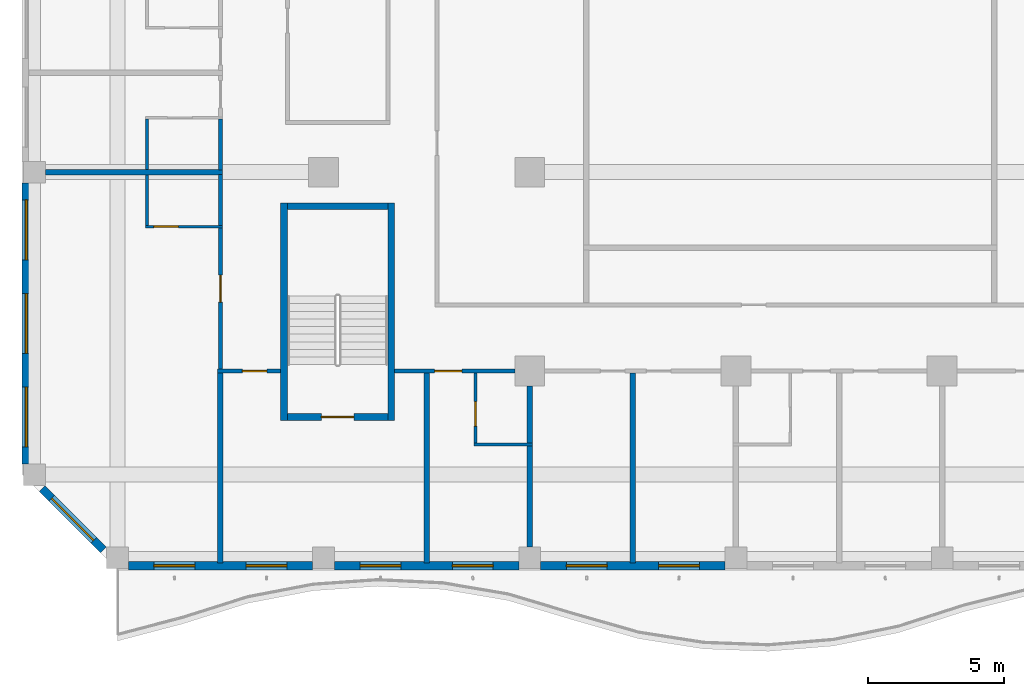
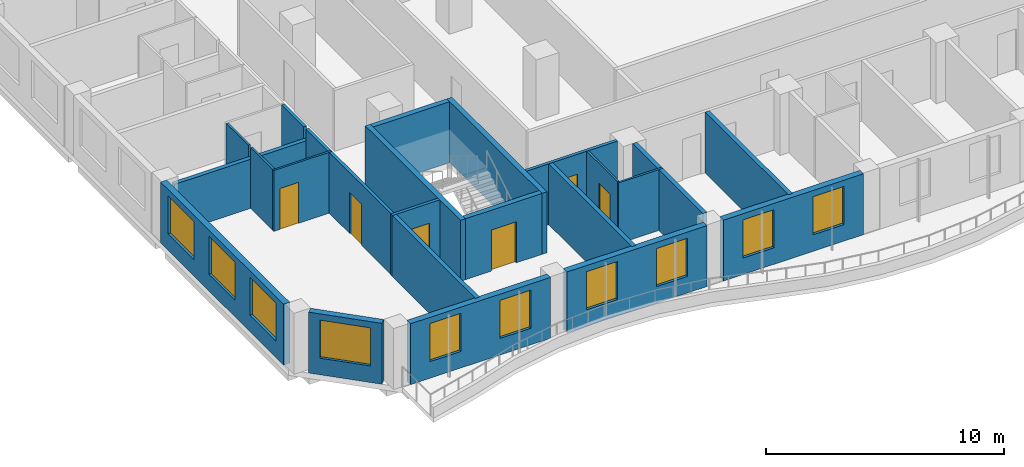
# One storey, part 2 of 23: 25 walls, 10 windows, 6 doors, 16 openings.
"""IFC4 building model written with IfcOpenShell, lengths in metres."""

from ifc_helpers import new_model, si_unit, direction, frame, frame_2d, origin, place, context, subcontext, project, spatial, rectangle, extrude, source, transform, mapped, material, layer, layer_set, type_object, element, fill, save


model = new_model("IFC4")

# Units and contexts
model_context = context("Model", 3, precision=1e-05, world=origin(), true_north=direction((0.0, 1.0)))
body_context = subcontext(model_context, "Body", "Model", "MODEL_VIEW")
ifc_project = project(units=[si_unit("LENGTHUNIT", "METRE"), si_unit("AREAUNIT", "SQUARE_METRE"), si_unit("VOLUMEUNIT", "CUBIC_METRE"), si_unit("PLANEANGLEUNIT", "RADIAN"), si_unit("MASSUNIT", "GRAM", prefix="KILO")], contexts=[model_context])

# Site, building, storey
site_placement = place(None, origin())
site = spatial("IfcSite", under=ifc_project, at=site_placement, CompositionType="ELEMENT")
building_placement = place(site_placement, origin())
building = spatial("IfcBuilding", under=site, at=building_placement, Name="Kilnfold Tower and Market Hall", CompositionType="ELEMENT")
storey_placement = place(building_placement, frame((0.0, 0.0, 150.699951171875)))
storey = spatial("IfcBuildingStorey", under=building, at=storey_placement, Name="L34", CompositionType="ELEMENT", Elevation=150.699951171875)

# Wall, opening, door
ifc_material_1 = material(Name="Gypsum board on steel studs", Category="steel")
ifc_layer_1 = layer(ifc_material_1, 0.14990234375)
ifc_layer_set_1 = layer_set([ifc_layer_1], Name="Gypsum board on steel studs")
wall_type_1 = type_object("IfcWallType", Name="WALL CORRIDOR 150", PredefinedType="PARTITIONING", material=ifc_layer_set_1)
wall_1_placement = place(storey_placement, frame((-13.550048828125, -13.93798828125, 0.0), z_axis=(0.0, 0.0, 1.0), x_axis=(1.0, 0.0, 0.0)))
wall_1 = element("IfcWall", 1, at=wall_1_placement, inside=storey, type_object=wall_type_1, Name="Partition LY22.1", PredefinedType="PARTITIONING", context=body_context, shape_type="SweptSolid", body=[
    extrude(rectangle(XDim=4.4169921875, YDim=0.14990234375, at=frame_2d((2.20849609375, 0.0))), origin(), (0.0, 0.0, 1.0), 3.1201171875),
])
opening_1_placement = place(wall_1_placement, frame((1.468017578125, 0.0, 0.0)))
opening_1 = element("IfcOpeningElement", 2, at=opening_1_placement, cuts=wall_1, Name="Opening D1", PredefinedType="OPENING", context=body_context, shape_type="SweptSolid", body=[
    extrude(rectangle(XDim=1.0, YDim=2.10009765625, at=frame_2d((0.5, 1.050048828125))), frame((0.0, 0.0849609375, 0.0), z_axis=(0.0, -1.0, 0.0), x_axis=(1.0, 0.0, 0.0)), (0.0, 0.0, 1.0), 0.169921875),
])
ifc_material_2 = material(Name="Timber veneer door leaf in steel frame", Category="steel")
door_type_1 = type_object("IfcDoorType", Name="DOOR ENTRY 1000 X2100", OperationType="NOTDEFINED", PredefinedType="DOOR", material=ifc_material_2)
door_1_placement = place(opening_1_placement, origin())
door_1 = element("IfcDoor", 3, at=door_1_placement, inside=storey, type_object=door_type_1, Name="Door D1", OperationType="SINGLE_SWING_RIGHT", OverallHeight=2.10009765625, OverallWidth=1.0, PredefinedType="DOOR", context=body_context, shape_type="SweptSolid", body=[
    extrude(rectangle(XDim=1.0, YDim=2.10009765625, at=frame_2d((0.5, 1.050048828125))), frame((0.0, 0.02490234375, 0.0), z_axis=(0.0, -1.0, 0.0), x_axis=(1.0, 0.0, 0.0)), (0.0, 0.0, 1.0), 0.050048828125),
])
fill(opening_1, door_1)

wall_2_placement = place(storey_placement, frame((-20.05908203125, -13.93798828125, 0.0), z_axis=(0.0, 0.0, 1.0), x_axis=(1.0, 0.0, 0.0)))
wall_2 = element("IfcWall", 4, at=wall_2_placement, inside=storey, type_object=wall_type_1, Name="Partition LY22.2", PredefinedType="PARTITIONING", context=body_context, shape_type="SweptSolid", body=[
    extrude(rectangle(XDim=2.30908203125, YDim=0.14990234375, at=frame_2d((1.154541015625, 0.0))), origin(), (0.0, 0.0, 1.0), 3.1201171875),
])
opening_2_placement = place(wall_2_placement, frame((0.906005859375, 0.0, 0.0)))
opening_2 = element("IfcOpeningElement", 5, at=opening_2_placement, cuts=wall_2, Name="Opening D2", PredefinedType="OPENING", context=body_context, shape_type="SweptSolid", body=[
    extrude(rectangle(XDim=0.89990234375, YDim=2.10009765625, at=frame_2d((0.449951171875, 1.050048828125))), frame((0.0, 0.0849609375, 0.0), z_axis=(0.0, -1.0, 0.0), x_axis=(1.0, 0.0, 0.0)), (0.0, 0.0, 1.0), 0.169921875),
])
ifc_material_3 = material(Name="Timber veneer door leaf in steel frame", Category="steel")
door_type_2 = type_object("IfcDoorType", Name="DOOR ROOM 900 X2100", OperationType="NOTDEFINED", PredefinedType="DOOR", material=ifc_material_3)
door_2_placement = place(opening_2_placement, origin())
door_2 = element("IfcDoor", 6, at=door_2_placement, inside=storey, type_object=door_type_2, Name="Door D2", OperationType="SINGLE_SWING_RIGHT", OverallHeight=2.10009765625, OverallWidth=0.89990234375, PredefinedType="DOOR", context=body_context, shape_type="SweptSolid", body=[
    extrude(rectangle(XDim=0.89990234375, YDim=2.10009765625, at=frame_2d((0.449951171875, 1.050048828125))), frame((0.0, 0.02490234375, 0.0), z_axis=(0.0, -1.0, 0.0), x_axis=(1.0, 0.0, 0.0)), (0.0, 0.0, 1.0), 0.050048828125),
])
fill(opening_2, door_2)

wall_3_placement = place(storey_placement, frame((-19.958984375, -13.863037109375, 0.0), z_axis=(0.0, 0.0, 1.0), x_axis=(0.0, 1.0, 0.0)))
wall_3 = element("IfcWall", 7, at=wall_3_placement, inside=storey, type_object=wall_type_1, Name="Partition LY22.10", PredefinedType="PARTITIONING", context=body_context, shape_type="SweptSolid", body=[
    extrude(rectangle(XDim=5.197998046875, YDim=0.14990234375, at=frame_2d((2.59912109375, 0.0))), origin(), (0.0, 0.0, 1.0), 3.1201171875),
])
opening_3_placement = place(wall_3_placement, frame((2.4580078125, 0.0, 0.0)))
opening_3 = element("IfcOpeningElement", 8, at=opening_3_placement, cuts=wall_3, Name="Opening D1", PredefinedType="OPENING", context=body_context, shape_type="SweptSolid", body=[
    extrude(rectangle(XDim=1.0, YDim=2.10009765625, at=frame_2d((0.5, 1.050048828125))), frame((0.0, 0.0849609375, 0.0), z_axis=(0.0, -1.0, 0.0), x_axis=(1.0, 0.0, 0.0)), (0.0, 0.0, 1.0), 0.169921875),
])
door_3_placement = place(opening_3_placement, origin())
door_3 = element("IfcDoor", 9, at=door_3_placement, inside=storey, type_object=door_type_1, Name="Door D1", OperationType="SINGLE_SWING_RIGHT", OverallHeight=2.10009765625, OverallWidth=1.0, PredefinedType="DOOR", context=body_context, shape_type="SweptSolid", body=[
    extrude(rectangle(XDim=1.0, YDim=2.10009765625, at=frame_2d((0.5, 1.050048828125))), frame((0.0, 0.02490234375, 0.0), z_axis=(0.0, -1.0, 0.0), x_axis=(1.0, 0.0, 0.0)), (0.0, 0.0, 1.0), 0.050048828125),
])
fill(opening_3, door_3)

# Walls
for number, where, z_axis, x_axis, name in (
    (10, (-19.958984375, -8.5849609375, 0.0), (0.0, 0.0, 1.0), (0.0, 1.0, 0.0), "Partition LY22.11"),
    (11, (-19.958984375, -6.534912109375, 0.0), (0.0, 0.0, 1.0), (0.0, 1.0, 0.0), "Partition LY22.13"),
):
    element("IfcWall", number, at=place(storey_placement, frame(where, z_axis=z_axis, x_axis=x_axis)), inside=storey, type_object=wall_type_1, Name=name, PredefinedType="PARTITIONING", context=body_context, shape_type="SweptSolid", body=[
        extrude(rectangle(XDim=1.869873046875, YDim=0.14990234375, at=frame_2d((0.93505859375, 0.0))), origin(), (0.0, 0.0, 1.0), 3.1201171875),
    ])

# Wall, opening, door
ifc_material_4 = material(Name="Gypsum board on steel studs", Category="steel")
ifc_layer_2 = layer(ifc_material_4, 0.10009765625)
ifc_layer_set_2 = layer_set([ifc_layer_2], Name="Gypsum board on steel studs")
wall_type_2 = type_object("IfcWallType", Name="WALL PARTITION 100", PredefinedType="PARTITIONING", material=ifc_layer_set_2)
wall_4_placement = place(storey_placement, frame((-10.5830078125, -16.590087890625, 0.0), z_axis=(0.0, 0.0, 1.0), x_axis=(0.0, 1.0, 0.0)))
wall_4 = element("IfcWall", 12, at=wall_4_placement, inside=storey, type_object=wall_type_2, Name="Partition LY22.50", PredefinedType="PARTITIONING", context=body_context, shape_type="SweptSolid", body=[
    extrude(rectangle(XDim=2.5751953125, YDim=0.10009765625, at=frame_2d((1.28759765625, 0.0))), origin(), (0.0, 0.0, 1.0), 3.1201171875),
])
opening_4_placement = place(wall_4_placement, frame((0.625, 0.0, 0.0)))
opening_4 = element("IfcOpeningElement", 13, at=opening_4_placement, cuts=wall_4, Name="Opening D3", PredefinedType="OPENING", context=body_context, shape_type="SweptSolid", body=[
    extrude(rectangle(XDim=0.89990234375, YDim=2.10009765625, at=frame_2d((0.449951171875, 1.050048828125))), frame((0.0, 0.06005859375, 0.0), z_axis=(0.0, -1.0, 0.0), x_axis=(1.0, 0.0, 0.0)), (0.0, 0.0, 1.0), 0.1201171875),
])
ifc_material_5 = material(Name="Timber veneer door leaf in steel frame", Category="steel")
door_type_3 = type_object("IfcDoorType", Name="DOOR WC 900 X2100", OperationType="NOTDEFINED", PredefinedType="DOOR", material=ifc_material_5)
door_4_placement = place(opening_4_placement, origin())
door_4 = element("IfcDoor", 14, at=door_4_placement, inside=storey, type_object=door_type_3, Name="Door D3", OperationType="SINGLE_SWING_LEFT", OverallHeight=2.10009765625, OverallWidth=0.89990234375, PredefinedType="DOOR", context=body_context, shape_type="SweptSolid", body=[
    extrude(rectangle(XDim=0.89990234375, YDim=2.10009765625, at=frame_2d((0.449951171875, 1.050048828125))), frame((0.0, 0.02490234375, 0.0), z_axis=(0.0, -1.0, 0.0), x_axis=(1.0, 0.0, 0.0)), (0.0, 0.0, 1.0), 0.050048828125),
])
fill(opening_4, door_4)

# Walls
wall_5_placement = place(storey_placement, frame((-10.633056640625, -16.639892578125, 0.0), z_axis=(0.0, 0.0, 1.0), x_axis=(1.0, 0.0, 0.0)))
element("IfcWall", 15, at=wall_5_placement, inside=storey, type_object=wall_type_2, Name="Partition LY22.51", PredefinedType="PARTITIONING", context=body_context, shape_type="SweptSolid", body=[
    extrude(rectangle(XDim=2.150146484375, YDim=0.10009765625, at=frame_2d((1.0751953125, 0.0))), origin(), (0.0, 0.0, 1.0), 3.1201171875),
])
wall_6_placement = place(storey_placement, frame((-22.658935546875, -8.574951171875, 0.0), z_axis=(0.0, 0.0, 1.0), x_axis=(0.0, 1.0, 0.0)))
element("IfcWall", 16, at=wall_6_placement, inside=storey, type_object=wall_type_2, Name="Partition LY22.68", PredefinedType="PARTITIONING", context=body_context, shape_type="SweptSolid", body=[
    extrude(rectangle(XDim=1.849853515625, YDim=0.10009765625, at=frame_2d((0.9248046875, 0.0))), origin(), (0.0, 0.0, 1.0), 3.1201171875),
])

# Wall, opening, door
wall_7_placement = place(storey_placement, frame((-19.885986328125, -8.625, 0.0), z_axis=(0.0, 0.0, 1.0), x_axis=(-1.0, 0.0, 0.0)))
wall_7 = element("IfcWall", 17, at=wall_7_placement, inside=storey, type_object=wall_type_2, Name="Partition LY22.69", PredefinedType="PARTITIONING", context=body_context, shape_type="SweptSolid", body=[
    extrude(rectangle(XDim=2.822998046875, YDim=0.10009765625, at=frame_2d((1.41162109375, 0.0))), origin(), (0.0, 0.0, 1.0), 3.1201171875),
])
opening_5_placement = place(wall_7_placement, frame((1.62109375, 0.0, 0.0)))
opening_5 = element("IfcOpeningElement", 18, at=opening_5_placement, cuts=wall_7, Name="Opening D3", PredefinedType="OPENING", context=body_context, shape_type="SweptSolid", body=[
    extrude(rectangle(XDim=0.89990234375, YDim=2.10009765625, at=frame_2d((0.449951171875, 1.050048828125))), frame((0.0, 0.06005859375, 0.0), z_axis=(0.0, -1.0, 0.0), x_axis=(1.0, 0.0, 0.0)), (0.0, 0.0, 1.0), 0.1201171875),
])
door_5_placement = place(opening_5_placement, origin())
door_5 = element("IfcDoor", 19, at=door_5_placement, inside=storey, type_object=door_type_3, Name="Door D3", OperationType="SINGLE_SWING_LEFT", OverallHeight=2.10009765625, OverallWidth=0.89990234375, PredefinedType="DOOR", context=body_context, shape_type="SweptSolid", body=[
    extrude(rectangle(XDim=0.89990234375, YDim=2.10009765625, at=frame_2d((0.449951171875, 1.050048828125))), frame((0.0, 0.02490234375, 0.0), z_axis=(0.0, -1.0, 0.0), x_axis=(1.0, 0.0, 0.0)), (0.0, 0.0, 1.0), 0.050048828125),
])
fill(opening_5, door_5)

# Walls
wall_8_placement = place(storey_placement, frame((-22.660888671875, -6.52490234375, 0.0), z_axis=(0.0, 0.0, 1.0), x_axis=(0.0, 1.0, 0.0)))
element("IfcWall", 20, at=wall_8_placement, inside=storey, type_object=wall_type_2, Name="Partition LY22.72", PredefinedType="PARTITIONING", context=body_context, shape_type="SweptSolid", body=[
    extrude(rectangle(XDim=1.849853515625, YDim=0.10009765625, at=frame_2d((0.9248046875, 0.0))), origin(), (0.0, 0.0, 1.0), 3.1201171875),
])
ifc_material_6 = material(Name="Gypsum board on steel studs", Category="steel")
ifc_layer_3 = layer(ifc_material_6, 0.199951171875)
ifc_layer_set_3 = layer_set([ifc_layer_3], Name="Gypsum board on steel studs")
wall_type_3 = type_object("IfcWallType", Name="WALL PARTY 200", PredefinedType="PARTITIONING", material=ifc_layer_set_3)
for number, where, z_axis, x_axis, name in (
    (21, (-12.375, -21.0, 0.0), (0.0, 0.0, 1.0), (0.0, 1.0, 0.0), "Partition LY22.48"),
    (22, (-19.958984375, -21.0, 0.0), (0.0, 0.0, 1.0), (0.0, 1.0, 0.0), "Partition LY22.49"),
):
    element("IfcWall", number, at=place(storey_placement, frame(where, z_axis=z_axis, x_axis=x_axis)), inside=storey, type_object=wall_type_3, Name=name, PredefinedType="PARTITIONING", context=body_context, shape_type="SweptSolid", body=[
        extrude(rectangle(XDim=6.985107421875, YDim=0.199951171875, at=frame_2d((3.49267578125, 0.0))), origin(), (0.0, 0.0, 1.0), 3.1201171875),
    ])
wall_9_placement = place(storey_placement, frame((-8.5830078125, -20.39990234375, 0.0), z_axis=(0.0, 0.0, 1.0), x_axis=(0.0, 1.0, 0.0)))
element("IfcWall", 23, at=wall_9_placement, inside=storey, type_object=wall_type_3, Name="Partition LY22.52", PredefinedType="PARTITIONING", context=body_context, shape_type="SweptSolid", body=[
    extrude(rectangle(XDim=3.7099609375, YDim=0.199951171875, at=frame_2d((1.85498046875, 0.0))), origin(), (0.0, 0.0, 1.0), 3.1201171875),
])
wall_10_placement = place(storey_placement, frame((-8.5830078125, -16.590087890625, 0.0), z_axis=(0.0, 0.0, 1.0), x_axis=(0.0, 1.0, 0.0)))
element("IfcWall", 24, at=wall_10_placement, inside=storey, type_object=wall_type_3, Name="Partition LY22.53", PredefinedType="PARTITIONING", context=body_context, shape_type="SweptSolid", body=[
    extrude(rectangle(XDim=2.10205078125, YDim=0.199951171875, at=frame_2d((1.051025390625, 0.0))), origin(), (0.0, 0.0, 1.0), 3.1201171875),
])
wall_11_placement = place(storey_placement, frame((-4.7919921875, -21.0, 0.0), z_axis=(0.0, 0.0, 1.0), x_axis=(0.0, 1.0, 0.0)))
element("IfcWall", 25, at=wall_11_placement, inside=storey, type_object=wall_type_3, Name="Partition LY22.54", PredefinedType="PARTITIONING", context=body_context, shape_type="SweptSolid", body=[
    extrude(rectangle(XDim=6.985107421875, YDim=0.199951171875, at=frame_2d((3.49267578125, 0.0))), origin(), (0.0, 0.0, 1.0), 3.1201171875),
])
wall_12_placement = place(storey_placement, frame((-26.39990234375, -6.625, 0.0), z_axis=(0.0, 0.0, 1.0), x_axis=(1.0, 0.0, 0.0)))
element("IfcWall", 26, at=wall_12_placement, inside=storey, type_object=wall_type_3, Name="Partition LY22.70", PredefinedType="PARTITIONING", context=body_context, shape_type="SweptSolid", body=[
    extrude(rectangle(XDim=6.513916015625, YDim=0.199951171875, at=frame_2d((3.2568359375, 0.0))), origin(), (0.0, 0.0, 1.0), 2.52001953125),
])

# Wall, opening, door
ifc_material_7 = material(Name="Concrete C70", Category="concrete")
ifc_layer_4 = layer(ifc_material_7, 0.25)
ifc_layer_set_4 = layer_set([ifc_layer_4], Name="Concrete C70")
wall_type_4 = type_object("IfcWallType", Name="CORE WALL 250 C70", PredefinedType="SHEAR", material=ifc_layer_set_4)
shared_shape_1 = source(origin(), body_context, "Body", "SweptSolid", [
    extrude(rectangle(XDim=3.699951171875, YDim=0.25, at=frame_2d((1.85009765625, 0.0))), origin(), (0.0, 0.0, 1.0), 3.1201171875),
])
wall_13_placement = place(storey_placement, frame((-17.5, -15.625, 0.0), z_axis=(0.0, 0.0, 1.0), x_axis=(1.0, 0.0, 0.0)))
wall_13 = element("IfcWall", 27, at=wall_13_placement, inside=storey, type_object=wall_type_4, Name="Stair enclosure ST3", PredefinedType="SHEAR", context=body_context, shape_type="MappedRepresentation", body=[
    mapped(shared_shape_1, transform((0.0, 0.0, 0.0))),
])
opening_6_placement = place(wall_13_placement, frame((1.25, 0.0, 0.0)))
opening_6 = element("IfcOpeningElement", 28, at=opening_6_placement, cuts=wall_13, Name="Opening SD1", PredefinedType="OPENING", context=body_context, shape_type="SweptSolid", body=[
    extrude(rectangle(XDim=1.199951171875, YDim=2.10009765625, at=frame_2d((0.60009765625, 1.050048828125))), frame((0.0, 0.135009765625, 0.0), z_axis=(0.0, -1.0, 0.0), x_axis=(1.0, 0.0, 0.0)), (0.0, 0.0, 1.0), 0.27001953125),
])
ifc_material_8 = material(Name="Steel door set with fire-resisting leaf", Category="steel")
door_type_4 = type_object("IfcDoorType", Name="STAIR FLOOR DOOR 1200X2100", OperationType="NOTDEFINED", PredefinedType="DOOR", material=ifc_material_8)
door_6_placement = place(opening_6_placement, origin())
door_6 = element("IfcDoor", 29, at=door_6_placement, inside=storey, type_object=door_type_4, Name="Exit stair ST3 door", OperationType="DOUBLE_DOOR_SINGLE_SWING", OverallHeight=2.10009765625, OverallWidth=1.199951171875, PredefinedType="DOOR", context=body_context, shape_type="SweptSolid", body=[
    extrude(rectangle(XDim=1.199951171875, YDim=2.10009765625, at=frame_2d((0.60009765625, 1.050048828125))), frame((0.0, 0.02490234375, 0.0), z_axis=(0.0, -1.0, 0.0), x_axis=(1.0, 0.0, 0.0)), (0.0, 0.0, 1.0), 0.050048828125),
])
fill(opening_6, door_6)

# Walls
wall_14_placement = place(storey_placement, frame((-17.5, -7.875, 0.0), z_axis=(0.0, 0.0, 1.0), x_axis=(1.0, 0.0, 0.0)))
element("IfcWall", 30, at=wall_14_placement, inside=storey, type_object=wall_type_4, Name="Stair enclosure ST3", PredefinedType="SHEAR", context=body_context, shape_type="MappedRepresentation", body=[
    mapped(shared_shape_1, transform((0.0, 0.0, 0.0))),
])
shared_shape_2 = source(origin(), body_context, "Body", "SweptSolid", [
    extrude(rectangle(XDim=8.0, YDim=0.25, at=frame_2d((4.0, 0.0))), origin(), (0.0, 0.0, 1.0), 3.1201171875),
])
for number, where, z_axis, x_axis, name in (
    (31, (-17.625, -15.75, 0.0), (0.0, 0.0, 1.0), (0.0, 1.0, 0.0), "Stair enclosure ST3"),
    (32, (-13.675048828125, -15.75, 0.0), (0.0, 0.0, 1.0), (0.0, 1.0, 0.0), "Stair enclosure ST3"),
):
    element("IfcWall", number, at=place(storey_placement, frame(where, z_axis=z_axis, x_axis=x_axis)), inside=storey, type_object=wall_type_4, Name=name, PredefinedType="SHEAR", context=body_context, shape_type="MappedRepresentation", body=[
        mapped(shared_shape_2, transform((0.0, 0.0, 0.0))),
    ])

# Wall, openings, windows
ifc_material_9 = material(Name="Precast concrete C50/60", Category="concrete")
ifc_layer_5 = layer(ifc_material_9, 0.300048828125)
ifc_layer_set_5 = layer_set([ifc_layer_5], Name="Precast concrete C50/60")
wall_type_5 = type_object("IfcWallType", Name="PRECAST WALL 300", PredefinedType="SOLIDWALL", material=ifc_layer_set_5)
shared_shape_3 = source(origin(), body_context, "Body", "SweptSolid", [
    extrude(rectangle(XDim=6.783447265625, YDim=0.300048828125, at=frame_2d((3.3916015625, 0.0))), origin(), (0.0, 0.0, 1.0), 3.1201171875),
])
wall_15_placement = place(storey_placement, frame((-23.35009765625, -21.10009765625, 0.0), z_axis=(0.0, 0.0, 1.0), x_axis=(1.0, 0.0, 0.0)))
wall_15 = element("IfcWall", 33, at=wall_15_placement, inside=storey, type_object=wall_type_5, Name="External wall L34 S", PredefinedType="SOLIDWALL", context=body_context, shape_type="MappedRepresentation", body=[
    mapped(shared_shape_3, transform((0.0, 0.0, 0.0))),
])
opening_7_placement = place(wall_15_placement, frame((0.94580078125, 0.0, 0.85009765625)))
opening_7 = element("IfcOpeningElement", 34, at=opening_7_placement, cuts=wall_15, Name="Opening W4", PredefinedType="OPENING", context=body_context, shape_type="SweptSolid", body=[
    extrude(rectangle(XDim=1.5, YDim=1.949951171875, at=frame_2d((0.75, 0.97509765625))), frame((0.0, 0.16015625, 0.0), z_axis=(0.0, -1.0, 0.0), x_axis=(1.0, 0.0, 0.0)), (0.0, 0.0, 1.0), 0.320068359375),
])
opening_8_placement = place(wall_15_placement, frame((4.33740234375, 0.0, 0.85009765625)))
opening_8 = element("IfcOpeningElement", 35, at=opening_8_placement, cuts=wall_15, Name="Opening W4", PredefinedType="OPENING", context=body_context, shape_type="SweptSolid", body=[
    extrude(rectangle(XDim=1.5, YDim=1.949951171875, at=frame_2d((0.75, 0.97509765625))), frame((0.0, 0.16015625, 0.0), z_axis=(0.0, -1.0, 0.0), x_axis=(1.0, 0.0, 0.0)), (0.0, 0.0, 1.0), 0.320068359375),
])
ifc_material_10 = material(Name="Aluminium frame and double glazing", Category="aluminium")
window_type_1 = type_object("IfcWindowType", Name="WINDOW W4 1500X1950", PartitioningType="SINGLE_PANEL", PredefinedType="WINDOW", material=ifc_material_10)
window_1_placement = place(opening_7_placement, origin())
window_1 = element("IfcWindow", 36, at=window_1_placement, inside=storey, type_object=window_type_1, Name="Window W4 L34 S-1", OverallHeight=1.949951171875, OverallWidth=1.5, PartitioningType="SINGLE_PANEL", PredefinedType="WINDOW", context=body_context, shape_type="SweptSolid", body=[
    extrude(rectangle(XDim=1.5, YDim=1.949951171875, at=frame_2d((0.75, 0.97509765625))), frame((0.0, 0.030029296875, 0.0), z_axis=(0.0, -1.0, 0.0), x_axis=(1.0, 0.0, 0.0)), (0.0, 0.0, 1.0), 0.06005859375),
])
fill(opening_7, window_1)
window_2_placement = place(opening_8_placement, origin())
window_2 = element("IfcWindow", 37, at=window_2_placement, inside=storey, type_object=window_type_1, Name="Window W4 L34 S-2", OverallHeight=1.949951171875, OverallWidth=1.5, PartitioningType="SINGLE_PANEL", PredefinedType="WINDOW", context=body_context, shape_type="SweptSolid", body=[
    extrude(rectangle(XDim=1.5, YDim=1.949951171875, at=frame_2d((0.75, 0.97509765625))), frame((0.0, 0.030029296875, 0.0), z_axis=(0.0, -1.0, 0.0), x_axis=(1.0, 0.0, 0.0)), (0.0, 0.0, 1.0), 0.06005859375),
])
fill(opening_8, window_2)

wall_16_placement = place(storey_placement, frame((-8.183349609375, -21.10009765625, 0.0), z_axis=(0.0, 0.0, 1.0), x_axis=(1.0, 0.0, 0.0)))
wall_16 = element("IfcWall", 38, at=wall_16_placement, inside=storey, type_object=wall_type_5, Name="External wall L34 S", PredefinedType="SOLIDWALL", context=body_context, shape_type="MappedRepresentation", body=[
    mapped(shared_shape_3, transform((0.0, 0.0, 0.0))),
])
opening_9_placement = place(wall_16_placement, frame((0.94580078125, 0.0, 0.85009765625)))
opening_9 = element("IfcOpeningElement", 39, at=opening_9_placement, cuts=wall_16, Name="Opening W4", PredefinedType="OPENING", context=body_context, shape_type="SweptSolid", body=[
    extrude(rectangle(XDim=1.5, YDim=1.949951171875, at=frame_2d((0.75, 0.97509765625))), frame((0.0, 0.16015625, 0.0), z_axis=(0.0, -1.0, 0.0), x_axis=(1.0, 0.0, 0.0)), (0.0, 0.0, 1.0), 0.320068359375),
])
opening_10_placement = place(wall_16_placement, frame((4.33740234375, 0.0, 0.85009765625)))
opening_10 = element("IfcOpeningElement", 40, at=opening_10_placement, cuts=wall_16, Name="Opening W4", PredefinedType="OPENING", context=body_context, shape_type="SweptSolid", body=[
    extrude(rectangle(XDim=1.5, YDim=1.949951171875, at=frame_2d((0.75, 0.97509765625))), frame((0.0, 0.16015625, 0.0), z_axis=(0.0, -1.0, 0.0), x_axis=(1.0, 0.0, 0.0)), (0.0, 0.0, 1.0), 0.320068359375),
])
window_3_placement = place(opening_9_placement, origin())
window_3 = element("IfcWindow", 41, at=window_3_placement, inside=storey, type_object=window_type_1, Name="Window W4 L34 S-1", OverallHeight=1.949951171875, OverallWidth=1.5, PartitioningType="SINGLE_PANEL", PredefinedType="WINDOW", context=body_context, shape_type="SweptSolid", body=[
    extrude(rectangle(XDim=1.5, YDim=1.949951171875, at=frame_2d((0.75, 0.97509765625))), frame((0.0, 0.030029296875, 0.0), z_axis=(0.0, -1.0, 0.0), x_axis=(1.0, 0.0, 0.0)), (0.0, 0.0, 1.0), 0.06005859375),
])
fill(opening_9, window_3)
window_4_placement = place(opening_10_placement, origin())
window_4 = element("IfcWindow", 42, at=window_4_placement, inside=storey, type_object=window_type_1, Name="Window W4 L34 S-2", OverallHeight=1.949951171875, OverallWidth=1.5, PartitioningType="SINGLE_PANEL", PredefinedType="WINDOW", context=body_context, shape_type="SweptSolid", body=[
    extrude(rectangle(XDim=1.5, YDim=1.949951171875, at=frame_2d((0.75, 0.97509765625))), frame((0.0, 0.030029296875, 0.0), z_axis=(0.0, -1.0, 0.0), x_axis=(1.0, 0.0, 0.0)), (0.0, 0.0, 1.0), 0.06005859375),
])
fill(opening_10, window_4)

shared_shape_4 = source(origin(), body_context, "Body", "SweptSolid", [
    extrude(rectangle(XDim=6.783203125, YDim=0.300048828125, at=frame_2d((3.3916015625, 0.0))), origin(), (0.0, 0.0, 1.0), 3.1201171875),
])
wall_17_placement = place(storey_placement, frame((-15.7666015625, -21.10009765625, 0.0), z_axis=(0.0, 0.0, 1.0), x_axis=(1.0, 0.0, 0.0)))
wall_17 = element("IfcWall", 43, at=wall_17_placement, inside=storey, type_object=wall_type_5, Name="External wall L34 S", PredefinedType="SOLIDWALL", context=body_context, shape_type="MappedRepresentation", body=[
    mapped(shared_shape_4, transform((0.0, 0.0, 0.0))),
])
opening_11_placement = place(wall_17_placement, frame((0.94580078125, 0.0, 0.85009765625)))
opening_11 = element("IfcOpeningElement", 44, at=opening_11_placement, cuts=wall_17, Name="Opening W4", PredefinedType="OPENING", context=body_context, shape_type="SweptSolid", body=[
    extrude(rectangle(XDim=1.5, YDim=1.949951171875, at=frame_2d((0.75, 0.97509765625))), frame((0.0, 0.16015625, 0.0), z_axis=(0.0, -1.0, 0.0), x_axis=(1.0, 0.0, 0.0)), (0.0, 0.0, 1.0), 0.320068359375),
])
opening_12_placement = place(wall_17_placement, frame((4.337646484375, 0.0, 0.85009765625)))
opening_12 = element("IfcOpeningElement", 45, at=opening_12_placement, cuts=wall_17, Name="Opening W4", PredefinedType="OPENING", context=body_context, shape_type="SweptSolid", body=[
    extrude(rectangle(XDim=1.5, YDim=1.949951171875, at=frame_2d((0.75, 0.97509765625))), frame((0.0, 0.16015625, 0.0), z_axis=(0.0, -1.0, 0.0), x_axis=(1.0, 0.0, 0.0)), (0.0, 0.0, 1.0), 0.320068359375),
])
window_5_placement = place(opening_11_placement, origin())
window_5 = element("IfcWindow", 46, at=window_5_placement, inside=storey, type_object=window_type_1, Name="Window W4 L34 S-1", OverallHeight=1.949951171875, OverallWidth=1.5, PartitioningType="SINGLE_PANEL", PredefinedType="WINDOW", context=body_context, shape_type="SweptSolid", body=[
    extrude(rectangle(XDim=1.5, YDim=1.949951171875, at=frame_2d((0.75, 0.97509765625))), frame((0.0, 0.030029296875, 0.0), z_axis=(0.0, -1.0, 0.0), x_axis=(1.0, 0.0, 0.0)), (0.0, 0.0, 1.0), 0.06005859375),
])
fill(opening_11, window_5)
window_6_placement = place(opening_12_placement, origin())
window_6 = element("IfcWindow", 47, at=window_6_placement, inside=storey, type_object=window_type_1, Name="Window W4 L34 S-2", OverallHeight=1.949951171875, OverallWidth=1.5, PartitioningType="SINGLE_PANEL", PredefinedType="WINDOW", context=body_context, shape_type="SweptSolid", body=[
    extrude(rectangle(XDim=1.5, YDim=1.949951171875, at=frame_2d((0.75, 0.97509765625))), frame((0.0, 0.030029296875, 0.0), z_axis=(0.0, -1.0, 0.0), x_axis=(1.0, 0.0, 0.0)), (0.0, 0.0, 1.0), 0.06005859375),
])
fill(opening_12, window_6)

shared_shape_5 = source(origin(), body_context, "Body", "SweptSolid", [
    extrude(rectangle(XDim=10.3251953125, YDim=0.300048828125, at=frame_2d((5.16259765625, 0.0))), origin(), (0.0, 0.0, 1.0), 3.1201171875),
])
wall_18_placement = place(storey_placement, frame((-27.10009765625, -7.02490234375, 0.0), z_axis=(0.0, 0.0, 1.0), x_axis=(0.0, -1.0, 0.0)))
wall_18 = element("IfcWall", 48, at=wall_18_placement, inside=storey, type_object=wall_type_5, Name="External wall L34 W", PredefinedType="SOLIDWALL", context=body_context, shape_type="MappedRepresentation", body=[
    mapped(shared_shape_5, transform((0.0, 0.0, 0.0))),
])
opening_13_placement = place(wall_18_placement, frame((0.620849609375, 0.0, 0.85009765625)))
opening_13 = element("IfcOpeningElement", 49, at=opening_13_placement, cuts=wall_18, Name="Opening W2", PredefinedType="OPENING", context=body_context, shape_type="SweptSolid", body=[
    extrude(rectangle(XDim=2.199951171875, YDim=1.949951171875, at=frame_2d((1.10009765625, 0.97509765625))), frame((0.0, 0.16015625, 0.0), z_axis=(0.0, -1.0, 0.0), x_axis=(1.0, 0.0, 0.0)), (0.0, 0.0, 1.0), 0.320068359375),
])
opening_14_placement = place(wall_18_placement, frame((4.0625, 0.0, 0.85009765625)))
opening_14 = element("IfcOpeningElement", 50, at=opening_14_placement, cuts=wall_18, Name="Opening W2", PredefinedType="OPENING", context=body_context, shape_type="SweptSolid", body=[
    extrude(rectangle(XDim=2.199951171875, YDim=1.949951171875, at=frame_2d((1.10009765625, 0.97509765625))), frame((0.0, 0.16015625, 0.0), z_axis=(0.0, -1.0, 0.0), x_axis=(1.0, 0.0, 0.0)), (0.0, 0.0, 1.0), 0.320068359375),
])
opening_15_placement = place(wall_18_placement, frame((7.504150390625, 0.0, 0.85009765625)))
opening_15 = element("IfcOpeningElement", 51, at=opening_15_placement, cuts=wall_18, Name="Opening W2", PredefinedType="OPENING", context=body_context, shape_type="SweptSolid", body=[
    extrude(rectangle(XDim=2.199951171875, YDim=1.949951171875, at=frame_2d((1.10009765625, 0.97509765625))), frame((0.0, 0.16015625, 0.0), z_axis=(0.0, -1.0, 0.0), x_axis=(1.0, 0.0, 0.0)), (0.0, 0.0, 1.0), 0.320068359375),
])
ifc_material_11 = material(Name="Aluminium frame and double glazing", Category="aluminium")
window_type_2 = type_object("IfcWindowType", Name="WINDOW W2 2200X1950", PartitioningType="SINGLE_PANEL", PredefinedType="WINDOW", material=ifc_material_11)
window_7_placement = place(opening_13_placement, origin())
window_7 = element("IfcWindow", 52, at=window_7_placement, inside=storey, type_object=window_type_2, Name="Window W2 L34 W-1", OverallHeight=1.949951171875, OverallWidth=2.199951171875, PartitioningType="SINGLE_PANEL", PredefinedType="WINDOW", context=body_context, shape_type="SweptSolid", body=[
    extrude(rectangle(XDim=2.199951171875, YDim=1.949951171875, at=frame_2d((1.10009765625, 0.97509765625))), frame((0.0, 0.030029296875, 0.0), z_axis=(0.0, -1.0, 0.0), x_axis=(1.0, 0.0, 0.0)), (0.0, 0.0, 1.0), 0.06005859375),
])
fill(opening_13, window_7)
window_8_placement = place(opening_14_placement, origin())
window_8 = element("IfcWindow", 53, at=window_8_placement, inside=storey, type_object=window_type_2, Name="Window W2 L34 W-2", OverallHeight=1.949951171875, OverallWidth=2.199951171875, PartitioningType="SINGLE_PANEL", PredefinedType="WINDOW", context=body_context, shape_type="SweptSolid", body=[
    extrude(rectangle(XDim=2.199951171875, YDim=1.949951171875, at=frame_2d((1.10009765625, 0.97509765625))), frame((0.0, 0.030029296875, 0.0), z_axis=(0.0, -1.0, 0.0), x_axis=(1.0, 0.0, 0.0)), (0.0, 0.0, 1.0), 0.06005859375),
])
fill(opening_14, window_8)
window_9_placement = place(opening_15_placement, origin())
window_9 = element("IfcWindow", 54, at=window_9_placement, inside=storey, type_object=window_type_2, Name="Window W2 L34 W-3", OverallHeight=1.949951171875, OverallWidth=2.199951171875, PartitioningType="SINGLE_PANEL", PredefinedType="WINDOW", context=body_context, shape_type="SweptSolid", body=[
    extrude(rectangle(XDim=2.199951171875, YDim=1.949951171875, at=frame_2d((1.10009765625, 0.97509765625))), frame((0.0, 0.030029296875, 0.0), z_axis=(0.0, -1.0, 0.0), x_axis=(1.0, 0.0, 0.0)), (0.0, 0.0, 1.0), 0.06005859375),
])
fill(opening_15, window_9)

# Wall, opening, window
shared_shape_6 = source(origin(), body_context, "Body", "SweptSolid", [
    extrude(rectangle(XDim=3.18212890625, YDim=0.300048828125, at=frame_2d((1.591064453125, 0.0))), origin(), (0.0, 0.0, 1.0), 3.1201171875),
])
wall_19_placement = place(storey_placement, frame((-26.518798828125, -18.268798828125, 0.0), z_axis=(0.0, 0.0, 1.0), x_axis=(0.707068419229, -0.707145141063, 0.0)))
wall_19 = element("IfcWall", 55, at=wall_19_placement, inside=storey, type_object=wall_type_5, Name="External wall L34 SW", PredefinedType="SOLIDWALL", context=body_context, shape_type="MappedRepresentation", body=[
    mapped(shared_shape_6, transform((0.0, 0.0, 0.0))),
])
opening_16_placement = place(wall_19_placement, frame((0.490966796875, 0.0, 0.85009765625)))
opening_16 = element("IfcOpeningElement", 56, at=opening_16_placement, cuts=wall_19, Name="Opening W2", PredefinedType="OPENING", context=body_context, shape_type="SweptSolid", body=[
    extrude(rectangle(XDim=2.199951171875, YDim=1.949951171875, at=frame_2d((1.10009765625, 0.97509765625))), frame((0.0, 0.16015625, 0.0), z_axis=(0.0, -1.0, 0.0), x_axis=(1.0, 0.0, 0.0)), (0.0, 0.0, 1.0), 0.320068359375),
])
window_10_placement = place(opening_16_placement, origin())
window_10 = element("IfcWindow", 57, at=window_10_placement, inside=storey, type_object=window_type_2, Name="Window W2 L34 SW-1", OverallHeight=1.949951171875, OverallWidth=2.199951171875, PartitioningType="SINGLE_PANEL", PredefinedType="WINDOW", context=body_context, shape_type="SweptSolid", body=[
    extrude(rectangle(XDim=2.199951171875, YDim=1.949951171875, at=frame_2d((1.10009765625, 0.97509765625))), frame((0.0, 0.030029296875, 0.0), z_axis=(0.0, -1.0, 0.0), x_axis=(1.0, 0.0, 0.0)), (0.0, 0.0, 1.0), 0.06005859375),
])
fill(opening_16, window_10)

save(model, "model.ifc")
